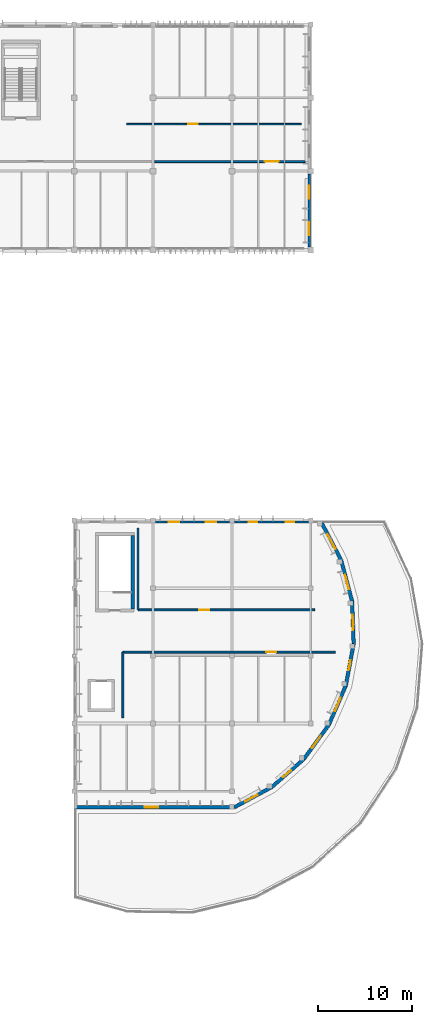
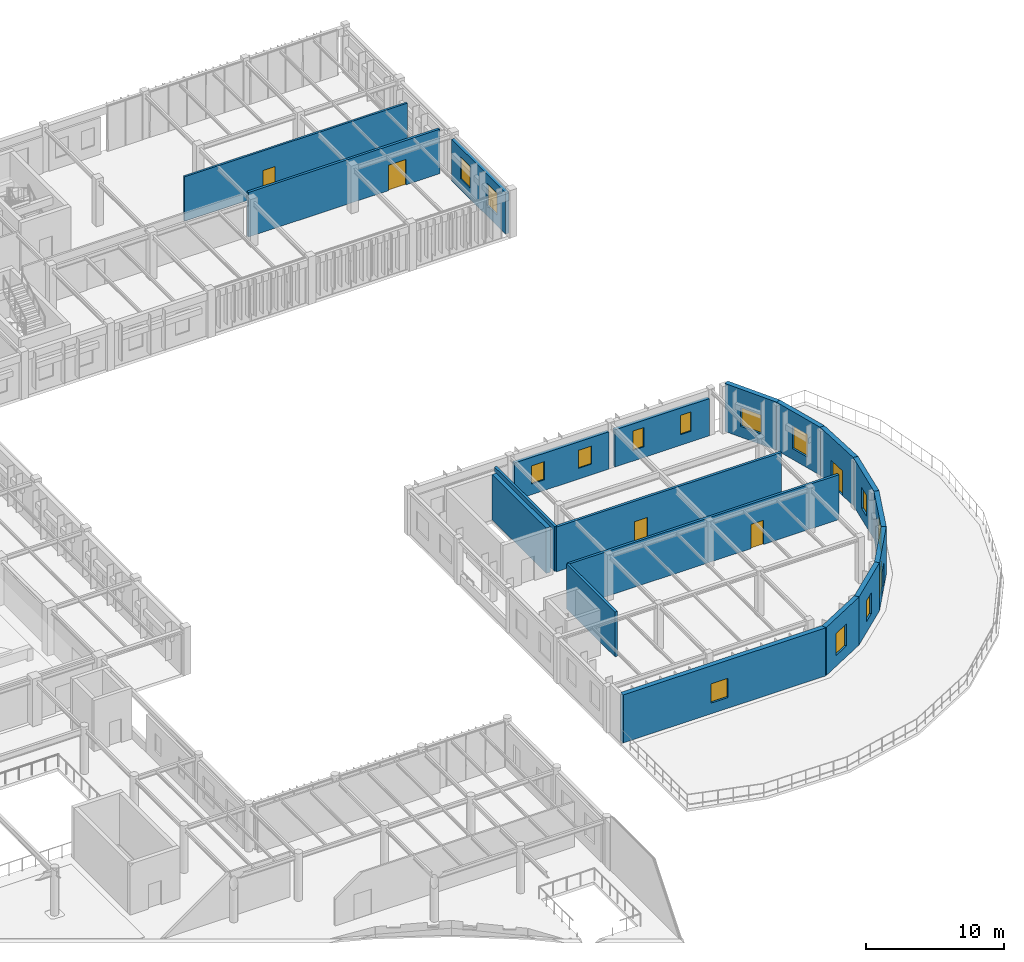
# One storey, part 46 of 104: 19 walls, 13 windows, 6 doors, 19 openings.
"""IFC4 building model written with IfcOpenShell, lengths in metres."""

from ifc_helpers import new_model, si_unit, direction, frame, frame_2d, origin, place, context, subcontext, project, spatial, rectangle, extrude, material, layer, layer_set, type_object, element, fill, save


model = new_model("IFC4")

# Units and contexts
model_context = context("Model", 3, precision=1e-05, world=origin(), true_north=direction((0.0, 1.0)))
body_context = subcontext(model_context, "Body", "Model", "MODEL_VIEW")
ifc_project = project(units=[si_unit("LENGTHUNIT", "METRE"), si_unit("AREAUNIT", "SQUARE_METRE"), si_unit("VOLUMEUNIT", "CUBIC_METRE"), si_unit("PLANEANGLEUNIT", "RADIAN"), si_unit("MASSUNIT", "GRAM", prefix="KILO")], contexts=[model_context])

# Site, building, storey
site_placement = place(None, origin())
site = spatial("IfcSite", under=ifc_project, at=site_placement, CompositionType="ELEMENT")
building_placement = place(site_placement, origin())
building = spatial("IfcBuilding", under=site, at=building_placement, Name="Tazoul Stagehouse", CompositionType="ELEMENT")
storey_placement = place(building_placement, frame((0.0, 0.0, 9.0)))
storey = spatial("IfcBuildingStorey", under=building, at=storey_placement, Name="L02", CompositionType="ELEMENT", Elevation=9.0)

# Wall, opening, window
ifc_material_1 = material(Name="Concrete C40/50", Category="concrete")
ifc_layer_1 = layer(ifc_material_1, 0.3798828125, Name="Concrete C40/50")
ifc_layer_set_1 = layer_set([ifc_layer_1], Name="Concrete C40/50")
wall_type_1 = type_object("IfcWallType", Name="Auditorium Shell Acoustic Perimeter Wall 380", PredefinedType="SOLIDWALL", material=ifc_layer_set_1)
wall_1_placement = place(storey_placement, frame((151.762939453125, 58.729736328125, 0.0), z_axis=(0.0, 0.0, 1.0), x_axis=(0.463702805056, -0.88599080615, 0.0)))
wall_1 = element("IfcWall", 1, at=wall_1_placement, inside=storey, type_object=wall_type_1, Name="L02 Wall EW-380 (WALL-V4-L02-ARC-01-S1)", PredefinedType="SOLIDWALL", context=body_context, shape_type="SweptSolid", body=[
    extrude(rectangle(XDim=4.43896484375, YDim=0.3798828125, at=frame_2d((2.219482421875, 0.0))), origin(), (0.0, 0.0, 1.0), 4.239990234375),
])
opening_1_placement = place(wall_1_placement, frame((1.35693359375, 0.0, 0.949951171875)))
opening_1 = element("IfcOpeningElement", 2, at=opening_1_placement, cuts=wall_1, Name="Opening WN-26", PredefinedType="OPENING", context=body_context, shape_type="SweptSolid", body=[
    extrude(rectangle(XDim=1.75, YDim=1.64990234375, at=frame_2d((0.875, 0.824951171875))), frame((0.0, 0.2099609375, 0.0), z_axis=(0.0, -1.0, 0.0), x_axis=(1.0, 0.0, 0.0)), (0.0, 0.0, 1.0), 0.419921875),
])
ifc_material_2 = material(Name="Double Low-E Acoustic Laminated Glass", Category="glass")
window_type_1 = type_object("IfcWindowType", Name="Rehearsal Daylight Window 1750x1650", PartitioningType="SINGLE_PANEL", PredefinedType="WINDOW", material=ifc_material_2)
window_1_placement = place(opening_1_placement, origin())
window_1 = element("IfcWindow", 3, at=window_1_placement, inside=storey, type_object=window_type_1, Name="L02 Window WN-26 (WALL-V4-L02-ARC-01-S1-B1-W1)", OverallHeight=1.64990234375, OverallWidth=1.75, PartitioningType="SINGLE_PANEL", PredefinedType="WINDOW", context=body_context, shape_type="SweptSolid", body=[
    extrude(rectangle(XDim=1.75, YDim=1.64990234375, at=frame_2d((0.875, 0.824951171875))), frame((0.0, 0.030029296875, 0.0), z_axis=(0.0, -1.0, 0.0), x_axis=(1.0, 0.0, 0.0)), (0.0, 0.0, 1.0), 0.06005859375),
])
fill(opening_1, window_1)

wall_2_placement = place(storey_placement, frame((153.8212890625, 54.796875, 0.0), z_axis=(0.0, 0.0, 1.0), x_axis=(0.256680156135, -0.966496403225, 0.0)))
wall_2 = element("IfcWall", 4, at=wall_2_placement, inside=storey, type_object=wall_type_1, Name="L02 Wall EW-380 (WALL-V4-L02-ARC-02-S1)", PredefinedType="SOLIDWALL", context=body_context, shape_type="SweptSolid", body=[
    extrude(rectangle(XDim=4.5322265625, YDim=0.3798828125, at=frame_2d((2.26611328125, 0.0))), origin(), (0.0, 0.0, 1.0), 4.239990234375),
])
opening_2_placement = place(wall_2_placement, frame((1.637939453125, 0.0, 0.949951171875)))
opening_2 = element("IfcOpeningElement", 5, at=opening_2_placement, cuts=wall_2, Name="Opening WN-80", PredefinedType="OPENING", context=body_context, shape_type="SweptSolid", body=[
    extrude(rectangle(XDim=1.56005859375, YDim=2.0, at=frame_2d((0.780029296875, 1.0))), frame((0.0, 0.2099609375, 0.0), z_axis=(0.0, -1.0, 0.0), x_axis=(1.0, 0.0, 0.0)), (0.0, 0.0, 1.0), 0.419921875),
])
window_type_2 = type_object("IfcWindowType", Name="Architectural Acoustic Facade Window 1560x2000", PartitioningType="SINGLE_PANEL", PredefinedType="WINDOW", material=ifc_material_2)
window_2_placement = place(opening_2_placement, origin())
window_2 = element("IfcWindow", 6, at=window_2_placement, inside=storey, type_object=window_type_2, Name="L02 Window WN-80 (WALL-V4-L02-ARC-02-S1-B1-W1)", OverallHeight=2.0, OverallWidth=1.56005859375, PartitioningType="SINGLE_PANEL", PredefinedType="WINDOW", context=body_context, shape_type="SweptSolid", body=[
    extrude(rectangle(XDim=1.56005859375, YDim=2.0, at=frame_2d((0.780029296875, 1.0))), frame((0.0, 0.030029296875, 0.0), z_axis=(0.0, -1.0, 0.0), x_axis=(1.0, 0.0, 0.0)), (0.0, 0.0, 1.0), 0.06005859375),
])
fill(opening_2, window_2)

# Wall, opening, door
wall_3_placement = place(storey_placement, frame((154.984619140625, 50.41650390625, 0.0), z_axis=(0.0, 0.0, 1.0), x_axis=(0.037063465479, -0.99931291372, 0.0)))
wall_3 = element("IfcWall", 7, at=wall_3_placement, inside=storey, type_object=wall_type_1, Name="L02 Wall EW-380 (WALL-V4-L02-ARC-03-S1)", PredefinedType="SOLIDWALL", context=body_context, shape_type="SweptSolid", body=[
    extrude(rectangle(XDim=4.531982421875, YDim=0.3798828125, at=frame_2d((2.26611328125, 0.0))), origin(), (0.0, 0.0, 1.0), 4.239990234375),
])
opening_3_placement = place(wall_3_placement, frame((1.466064453125, 0.0, 0.0)))
opening_3 = element("IfcOpeningElement", 8, at=opening_3_placement, cuts=wall_3, Name="Opening TD-02", PredefinedType="OPENING", context=body_context, shape_type="SweptSolid", body=[
    extrude(rectangle(XDim=1.60009765625, YDim=2.199951171875, at=frame_2d((0.800048828125, 1.10009765625))), frame((0.0, 0.2099609375, 0.0), z_axis=(0.0, -1.0, 0.0), x_axis=(1.0, 0.0, 0.0)), (0.0, 0.0, 1.0), 0.419921875),
])
door_type_1 = type_object("IfcDoorType", Name="Studio Garden Glazed Door 1600x2200", OperationType="DOUBLE_DOOR_SINGLE_SWING", PredefinedType="DOOR", material=ifc_material_2)
door_1_placement = place(opening_3_placement, origin())
door_1 = element("IfcDoor", 9, at=door_1_placement, inside=storey, type_object=door_type_1, Name="L02 Door TD-02 (DR-V4-GAR-3)", OperationType="SINGLE_SWING_LEFT", OverallHeight=2.199951171875, OverallWidth=1.60009765625, PredefinedType="DOOR", context=body_context, shape_type="SweptSolid", body=[
    extrude(rectangle(XDim=1.60009765625, YDim=2.199951171875, at=frame_2d((0.800048828125, 1.10009765625))), frame((0.0, 0.02490234375, 0.0), z_axis=(0.0, -1.0, 0.0), x_axis=(1.0, 0.0, 0.0)), (0.0, 0.0, 1.0), 0.050048828125),
])
fill(opening_3, door_1)

# Wall, opening, window
wall_4_placement = place(storey_placement, frame((155.152587890625, 45.8876953125, 0.0), z_axis=(0.0, 0.0, 1.0), x_axis=(-0.184334068008, -0.982863648413, 0.0)))
wall_4 = element("IfcWall", 10, at=wall_4_placement, inside=storey, type_object=wall_type_1, Name="L02 Wall EW-380 (WALL-V4-L02-ARC-04-S1)", PredefinedType="SOLIDWALL", context=body_context, shape_type="SweptSolid", body=[
    extrude(rectangle(XDim=4.5322265625, YDim=0.3798828125, at=frame_2d((2.26611328125, 0.0))), origin(), (0.0, 0.0, 1.0), 4.239990234375),
])
opening_4_placement = place(wall_4_placement, frame((1.8056640625, 0.0, 0.949951171875)))
opening_4 = element("IfcOpeningElement", 11, at=opening_4_placement, cuts=wall_4, Name="Opening WN-63", PredefinedType="OPENING", context=body_context, shape_type="SweptSolid", body=[
    extrude(rectangle(XDim=1.050048828125, YDim=1.85009765625, at=frame_2d((0.52490234375, 0.925048828125))), frame((0.0, 0.2099609375, 0.0), z_axis=(0.0, -1.0, 0.0), x_axis=(1.0, 0.0, 0.0)), (0.0, 0.0, 1.0), 0.419921875),
])
window_type_3 = type_object("IfcWindowType", Name="Architectural Acoustic Facade Window 1050x1850", PartitioningType="SINGLE_PANEL", PredefinedType="WINDOW", material=ifc_material_2)
window_3_placement = place(opening_4_placement, origin())
window_3 = element("IfcWindow", 12, at=window_3_placement, inside=storey, type_object=window_type_3, Name="L02 Window WN-63 (WALL-V4-L02-ARC-04-S1-B1-W1)", OverallHeight=1.85009765625, OverallWidth=1.050048828125, PartitioningType="SINGLE_PANEL", PredefinedType="WINDOW", context=body_context, shape_type="SweptSolid", body=[
    extrude(rectangle(XDim=1.050048828125, YDim=1.85009765625, at=frame_2d((0.52490234375, 0.925048828125))), frame((0.0, 0.030029296875, 0.0), z_axis=(0.0, -1.0, 0.0), x_axis=(1.0, 0.0, 0.0)), (0.0, 0.0, 1.0), 0.06005859375),
])
fill(opening_4, window_3)

wall_5_placement = place(storey_placement, frame((154.317138671875, 41.43310546875, 0.0), z_axis=(0.0, 0.0, 1.0), x_axis=(-0.396771328502, -0.917917486967, 0.0)))
wall_5 = element("IfcWall", 13, at=wall_5_placement, inside=storey, type_object=wall_type_1, Name="L02 Wall EW-380 (WALL-V4-L02-ARC-05-S1)", PredefinedType="SOLIDWALL", context=body_context, shape_type="SweptSolid", body=[
    extrude(rectangle(XDim=4.532470703125, YDim=0.3798828125, at=frame_2d((2.26611328125, 0.0))), origin(), (0.0, 0.0, 1.0), 4.239990234375),
])
opening_5_placement = place(wall_5_placement, frame((1.3955078125, 0.0, 0.949951171875)))
opening_5 = element("IfcOpeningElement", 14, at=opening_5_placement, cuts=wall_5, Name="Opening WN-80", PredefinedType="OPENING", context=body_context, shape_type="SweptSolid", body=[
    extrude(rectangle(XDim=1.56005859375, YDim=2.0, at=frame_2d((0.780029296875, 1.0))), frame((0.0, 0.2099609375, 0.0), z_axis=(0.0, -1.0, 0.0), x_axis=(1.0, 0.0, 0.0)), (0.0, 0.0, 1.0), 0.419921875),
])
window_4_placement = place(opening_5_placement, origin())
window_4 = element("IfcWindow", 15, at=window_4_placement, inside=storey, type_object=window_type_2, Name="L02 Window WN-80 (WALL-V4-L02-ARC-05-S1-B1-W1)", OverallHeight=2.0, OverallWidth=1.56005859375, PartitioningType="SINGLE_PANEL", PredefinedType="WINDOW", context=body_context, shape_type="SweptSolid", body=[
    extrude(rectangle(XDim=1.56005859375, YDim=2.0, at=frame_2d((0.780029296875, 1.0))), frame((0.0, 0.030029296875, 0.0), z_axis=(0.0, -1.0, 0.0), x_axis=(1.0, 0.0, 0.0)), (0.0, 0.0, 1.0), 0.06005859375),
])
fill(opening_5, window_4)

# Wall, opening, door
wall_6_placement = place(storey_placement, frame((152.518798828125, 37.272705078125, 0.0), z_axis=(0.0, 0.0, 1.0), x_axis=(-0.589554570805, -0.807728548488, 0.0)))
wall_6 = element("IfcWall", 16, at=wall_6_placement, inside=storey, type_object=wall_type_1, Name="L02 Wall EW-380 (WALL-V4-L02-ARC-06-S1)", PredefinedType="SOLIDWALL", context=body_context, shape_type="SweptSolid", body=[
    extrude(rectangle(XDim=4.531982421875, YDim=0.3798828125, at=frame_2d((2.26611328125, 0.0))), origin(), (0.0, 0.0, 1.0), 4.239990234375),
])
opening_6_placement = place(wall_6_placement, frame((1.466064453125, 0.0, 0.0)))
opening_6 = element("IfcOpeningElement", 17, at=opening_6_placement, cuts=wall_6, Name="Opening TD-02", PredefinedType="OPENING", context=body_context, shape_type="SweptSolid", body=[
    extrude(rectangle(XDim=1.60009765625, YDim=2.199951171875, at=frame_2d((0.800048828125, 1.10009765625))), frame((0.0, 0.2099609375, 0.0), z_axis=(0.0, -1.0, 0.0), x_axis=(1.0, 0.0, 0.0)), (0.0, 0.0, 1.0), 0.419921875),
])
door_2_placement = place(opening_6_placement, origin())
door_2 = element("IfcDoor", 18, at=door_2_placement, inside=storey, type_object=door_type_1, Name="L02 Door TD-02 (DR-V4-GAR-6)", OperationType="SINGLE_SWING_LEFT", OverallHeight=2.199951171875, OverallWidth=1.60009765625, PredefinedType="DOOR", context=body_context, shape_type="SweptSolid", body=[
    extrude(rectangle(XDim=1.60009765625, YDim=2.199951171875, at=frame_2d((0.800048828125, 1.10009765625))), frame((0.0, 0.02490234375, 0.0), z_axis=(0.0, -1.0, 0.0), x_axis=(1.0, 0.0, 0.0)), (0.0, 0.0, 1.0), 0.050048828125),
])
fill(opening_6, door_2)

# Wall, opening, window
wall_7_placement = place(storey_placement, frame((149.846923828125, 33.612060546875, 0.0), z_axis=(0.0, 0.0, 1.0), x_axis=(-0.75327034526, -0.657711020854, 0.0)))
wall_7 = element("IfcWall", 19, at=wall_7_placement, inside=storey, type_object=wall_type_1, Name="L02 Wall EW-380 (WALL-V4-L02-ARC-07-S1)", PredefinedType="SOLIDWALL", context=body_context, shape_type="SweptSolid", body=[
    extrude(rectangle(XDim=4.5322265625, YDim=0.3798828125, at=frame_2d((2.26611328125, 0.0))), origin(), (0.0, 0.0, 1.0), 4.239990234375),
])
opening_7_placement = place(wall_7_placement, frame((1.810302734375, 0.0, 0.949951171875)))
opening_7 = element("IfcOpeningElement", 20, at=opening_7_placement, cuts=wall_7, Name="Opening WN-65", PredefinedType="OPENING", context=body_context, shape_type="SweptSolid", body=[
    extrude(rectangle(XDim=1.110107421875, YDim=1.85009765625, at=frame_2d((0.55517578125, 0.925048828125))), frame((0.0, 0.2099609375, 0.0), z_axis=(0.0, -1.0, 0.0), x_axis=(1.0, 0.0, 0.0)), (0.0, 0.0, 1.0), 0.419921875),
])
window_type_4 = type_object("IfcWindowType", Name="Architectural Acoustic Facade Window 1110x1850", PartitioningType="SINGLE_PANEL", PredefinedType="WINDOW", material=ifc_material_2)
window_5_placement = place(opening_7_placement, origin())
window_5 = element("IfcWindow", 21, at=window_5_placement, inside=storey, type_object=window_type_4, Name="L02 Window WN-65 (WALL-V4-L02-ARC-07-S1-B1-W1)", OverallHeight=1.85009765625, OverallWidth=1.110107421875, PartitioningType="SINGLE_PANEL", PredefinedType="WINDOW", context=body_context, shape_type="SweptSolid", body=[
    extrude(rectangle(XDim=1.110107421875, YDim=1.85009765625, at=frame_2d((0.55517578125, 0.925048828125))), frame((0.0, 0.030029296875, 0.0), z_axis=(0.0, -1.0, 0.0), x_axis=(1.0, 0.0, 0.0)), (0.0, 0.0, 1.0), 0.06005859375),
])
fill(opening_7, window_5)

wall_8_placement = place(storey_placement, frame((146.432861328125, 30.631103515625, 0.0), z_axis=(0.0, 0.0, 1.0), x_axis=(-0.8798473903, -0.475256320087, 0.0)))
wall_8 = element("IfcWall", 22, at=wall_8_placement, inside=storey, type_object=wall_type_1, Name="L02 Wall EW-380 (WALL-V4-L02-ARC-08-S1)", PredefinedType="SOLIDWALL", context=body_context, shape_type="SweptSolid", body=[
    extrude(rectangle(XDim=4.505126953125, YDim=0.3798828125, at=frame_2d((2.25244140625, 0.0))), origin(), (0.0, 0.0, 1.0), 4.239990234375),
])
opening_8_placement = place(wall_8_placement, frame((1.72021484375, 0.0, 0.949951171875)))
opening_8 = element("IfcOpeningElement", 23, at=opening_8_placement, cuts=wall_8, Name="Opening WN-77", PredefinedType="OPENING", context=body_context, shape_type="SweptSolid", body=[
    extrude(rectangle(XDim=1.469970703125, YDim=1.949951171875, at=frame_2d((0.73486328125, 0.97509765625))), frame((0.0, 0.2099609375, 0.0), z_axis=(0.0, -1.0, 0.0), x_axis=(1.0, 0.0, 0.0)), (0.0, 0.0, 1.0), 0.419921875),
])
window_type_5 = type_object("IfcWindowType", Name="Architectural Acoustic Facade Window 1470x1950", PartitioningType="SINGLE_PANEL", PredefinedType="WINDOW", material=ifc_material_2)
window_6_placement = place(opening_8_placement, origin())
window_6 = element("IfcWindow", 24, at=window_6_placement, inside=storey, type_object=window_type_5, Name="L02 Window WN-77 (WALL-V4-L02-ARC-08-S1-B1-W1)", OverallHeight=1.949951171875, OverallWidth=1.469970703125, PartitioningType="SINGLE_PANEL", PredefinedType="WINDOW", context=body_context, shape_type="SweptSolid", body=[
    extrude(rectangle(XDim=1.469970703125, YDim=1.949951171875, at=frame_2d((0.73486328125, 0.97509765625))), frame((0.0, 0.030029296875, 0.0), z_axis=(0.0, -1.0, 0.0), x_axis=(1.0, 0.0, 0.0)), (0.0, 0.0, 1.0), 0.06005859375),
])
fill(opening_8, window_6)

wall_9_placement = place(storey_placement, frame((142.468994140625, 28.489990234375, 0.0), z_axis=(0.0, 0.0, 1.0), x_axis=(-1.0, 0.0, 0.0)))
wall_9 = element("IfcWall", 25, at=wall_9_placement, inside=storey, type_object=wall_type_1, Name="L02 Wall EW-380 (WALL-V4-L02-ARC-09-S1)", PredefinedType="SOLIDWALL", context=body_context, shape_type="SweptSolid", body=[
    extrude(rectangle(XDim=16.87890625, YDim=0.3798828125, at=frame_2d((8.439453125, 0.0))), origin(), (0.0, 0.0, 1.0), 4.239990234375),
])
opening_9_placement = place(wall_9_placement, frame((8.13037109375, 0.0, 0.949951171875)))
opening_9 = element("IfcOpeningElement", 26, at=opening_9_placement, cuts=wall_9, Name="Opening WN-50", PredefinedType="OPENING", context=body_context, shape_type="SweptSolid", body=[
    extrude(rectangle(XDim=1.409912109375, YDim=1.699951171875, at=frame_2d((0.705078125, 0.85009765625))), frame((0.0, 0.2099609375, 0.0), z_axis=(0.0, -1.0, 0.0), x_axis=(1.0, 0.0, 0.0)), (0.0, 0.0, 1.0), 0.419921875),
])
window_type_6 = type_object("IfcWindowType", Name="Architectural Acoustic Facade Window 1410x1700", PartitioningType="SINGLE_PANEL", PredefinedType="WINDOW", material=ifc_material_2)
window_7_placement = place(opening_9_placement, origin())
window_7 = element("IfcWindow", 27, at=window_7_placement, inside=storey, type_object=window_type_6, Name="L02 Window WN-50 (WALL-V4-L02-ARC-09-S1-B1-W1)", OverallHeight=1.699951171875, OverallWidth=1.409912109375, PartitioningType="SINGLE_PANEL", PredefinedType="WINDOW", context=body_context, shape_type="SweptSolid", body=[
    extrude(rectangle(XDim=1.409912109375, YDim=1.699951171875, at=frame_2d((0.705078125, 0.85009765625))), frame((0.0, 0.030029296875, 0.0), z_axis=(0.0, -1.0, 0.0), x_axis=(1.0, 0.0, 0.0)), (0.0, 0.0, 1.0), 0.06005859375),
])
fill(opening_9, window_7)

# Wall
ifc_layer_2 = layer(ifc_material_1, 0.35009765625, Name="Concrete C40/50")
ifc_layer_set_2 = layer_set([ifc_layer_2], Name="Concrete C40/50")
wall_type_2 = type_object("IfcWallType", Name="Core Shear Wall 350", PredefinedType="SOLIDWALL", material=ifc_layer_set_2)
wall_10_placement = place(storey_placement, frame((131.625, 57.39990234375, 0.0), z_axis=(0.0, 0.0, 1.0), x_axis=(0.0, -1.0, 0.0)))
element("IfcWall", 28, at=wall_10_placement, inside=storey, type_object=wall_type_2, Name="L02 Core Wall CW-350 (SHF-ST-07-east)", PredefinedType="SOLIDWALL", context=body_context, shape_type="SweptSolid", body=[
    extrude(rectangle(XDim=7.7998046875, YDim=0.35009765625, at=frame_2d((3.89990234375, 0.0))), origin(), (0.0, 0.0, 1.0), 4.0),
])

# Wall, opening, door
ifc_material_3 = material(Name="Gypsum Acoustic Partition", Category="gypsum")
ifc_layer_3 = layer(ifc_material_3, 0.169921875, Name="Gypsum Acoustic Partition")
ifc_layer_set_3 = layer_set([ifc_layer_3], Name="Gypsum Acoustic Partition")
wall_type_3 = type_object("IfcWallType", Name="Corridor Fire-Rated Partition 170", PredefinedType="PARTITIONING", material=ifc_layer_set_3)
wall_11_placement = place(storey_placement, frame((149.60009765625, 101.199951171875, 0.0), z_axis=(0.0, 0.0, 1.0), x_axis=(-1.0, 0.0, 0.0)))
wall_11 = element("IfcWall", 29, at=wall_11_placement, inside=storey, type_object=wall_type_3, Name="L02 Partition PW-170 (PW-RM-L02-064-S)", PredefinedType="PARTITIONING", context=body_context, shape_type="SweptSolid", body=[
    extrude(rectangle(XDim=18.60009765625, YDim=0.169921875, at=frame_2d((9.300048828125, 0.0))), origin(), (0.0, 0.0, 1.0), 3.929931640625),
])
opening_10_placement = place(wall_11_placement, frame((11.036865234375, 0.0, 0.0)))
opening_10 = element("IfcOpeningElement", 30, at=opening_10_placement, cuts=wall_11, Name="Opening ID-06", PredefinedType="OPENING", context=body_context, shape_type="SweptSolid", body=[
    extrude(rectangle(XDim=1.0, YDim=2.199951171875, at=frame_2d((0.5, 1.10009765625))), frame((0.0, 0.10498046875, 0.0), z_axis=(0.0, -1.0, 0.0), x_axis=(1.0, 0.0, 0.0)), (0.0, 0.0, 1.0), 0.2099609375),
])
ifc_material_4 = material(Name="Acoustic Cedar Timber", Category="wood")
door_type_2 = type_object("IfcDoorType", Name="Archive Rated Door 1000x2200", OperationType="NOTDEFINED", PredefinedType="DOOR", material=ifc_material_4)
door_3_placement = place(opening_10_placement, origin())
door_3 = element("IfcDoor", 31, at=door_3_placement, inside=storey, type_object=door_type_2, Name="L02 Principal Costume Archive Store Door", OperationType="SINGLE_SWING_RIGHT", OverallHeight=2.199951171875, OverallWidth=1.0, PredefinedType="DOOR", context=body_context, shape_type="SweptSolid", body=[
    extrude(rectangle(XDim=1.0, YDim=2.199951171875, at=frame_2d((0.5, 1.10009765625))), frame((0.0, 0.02490234375, 0.0), z_axis=(0.0, -1.0, 0.0), x_axis=(1.0, 0.0, 0.0)), (0.0, 0.0, 1.0), 0.050048828125),
])
fill(opening_10, door_3)

# Wall, openings, windows
ifc_material_5 = material(Name="Precast concrete C40/50", Category="concrete")
ifc_layer_4 = layer(ifc_material_5, 0.260009765625, Name="Precast concrete C40/50")
ifc_layer_set_4 = layer_set([ifc_layer_4], Name="Precast concrete C40/50")
wall_type_4 = type_object("IfcWallType", Name="Curved Studio Drum Terracotta-Concrete Wall 260", PredefinedType="SOLIDWALL", material=ifc_layer_set_4)
wall_12_placement = place(storey_placement, frame((134.054931640625, 58.85009765625, 0.0), z_axis=(0.0, 0.0, 1.0), x_axis=(1.0, 0.0, 0.0)))
wall_12 = element("IfcWall", 32, at=wall_12_placement, inside=storey, type_object=wall_type_4, Name="L02 Wall EW-260 (WALL-V4-N-L02-S2)", PredefinedType="SOLIDWALL", context=body_context, shape_type="SweptSolid", body=[
    extrude(rectangle(XDim=7.89013671875, YDim=0.260009765625, at=frame_2d((3.945068359375, 0.0))), origin(), (0.0, 0.0, 1.0), 3.29296875),
])
opening_11_placement = place(wall_12_placement, frame((1.4326171875, 0.0, 0.949951171875)))
opening_11 = element("IfcOpeningElement", 33, at=opening_11_placement, cuts=wall_12, Name="Opening WN-39", PredefinedType="OPENING", context=body_context, shape_type="SweptSolid", body=[
    extrude(rectangle(XDim=1.080078125, YDim=1.60009765625, at=frame_2d((0.5400390625, 0.800048828125))), frame((0.0, 0.14990234375, 0.0), z_axis=(0.0, -1.0, 0.0), x_axis=(1.0, 0.0, 0.0)), (0.0, 0.0, 1.0), 0.300048828125),
])
opening_12_placement = place(wall_12_placement, frame((5.37744140625, 0.0, 0.949951171875)))
opening_12 = element("IfcOpeningElement", 34, at=opening_12_placement, cuts=wall_12, Name="Opening WN-39", PredefinedType="OPENING", context=body_context, shape_type="SweptSolid", body=[
    extrude(rectangle(XDim=1.080078125, YDim=1.60009765625, at=frame_2d((0.5400390625, 0.800048828125))), frame((0.0, 0.14990234375, 0.0), z_axis=(0.0, -1.0, 0.0), x_axis=(1.0, 0.0, 0.0)), (0.0, 0.0, 1.0), 0.300048828125),
])
window_type_7 = type_object("IfcWindowType", Name="Architectural Acoustic Facade Window 1080x1600", PartitioningType="SINGLE_PANEL", PredefinedType="WINDOW", material=ifc_material_2)
window_8_placement = place(opening_11_placement, origin())
window_8 = element("IfcWindow", 35, at=window_8_placement, inside=storey, type_object=window_type_7, Name="L02 Window WN-39 (WALL-V4-N-L02-S2-W1)", OverallHeight=1.60009765625, OverallWidth=1.080078125, PartitioningType="SINGLE_PANEL", PredefinedType="WINDOW", context=body_context, shape_type="SweptSolid", body=[
    extrude(rectangle(XDim=1.080078125, YDim=1.60009765625, at=frame_2d((0.5400390625, 0.800048828125))), frame((0.0, 0.030029296875, 0.0), z_axis=(0.0, -1.0, 0.0), x_axis=(1.0, 0.0, 0.0)), (0.0, 0.0, 1.0), 0.06005859375),
])
fill(opening_11, window_8)
window_9_placement = place(opening_12_placement, origin())
window_9 = element("IfcWindow", 36, at=window_9_placement, inside=storey, type_object=window_type_7, Name="L02 Window WN-39 (WALL-V4-N-L02-S2-W2)", OverallHeight=1.60009765625, OverallWidth=1.080078125, PartitioningType="SINGLE_PANEL", PredefinedType="WINDOW", context=body_context, shape_type="SweptSolid", body=[
    extrude(rectangle(XDim=1.080078125, YDim=1.60009765625, at=frame_2d((0.5400390625, 0.800048828125))), frame((0.0, 0.030029296875, 0.0), z_axis=(0.0, -1.0, 0.0), x_axis=(1.0, 0.0, 0.0)), (0.0, 0.0, 1.0), 0.06005859375),
])
fill(opening_12, window_9)

wall_13_placement = place(storey_placement, frame((142.455078125, 58.85009765625, 0.0), z_axis=(0.0, 0.0, 1.0), x_axis=(1.0, 0.0, 0.0)))
wall_13 = element("IfcWall", 37, at=wall_13_placement, inside=storey, type_object=wall_type_4, Name="L02 Wall EW-260 (WALL-V4-N-L02-S3)", PredefinedType="SOLIDWALL", context=body_context, shape_type="SweptSolid", body=[
    extrude(rectangle(XDim=7.889892578125, YDim=0.260009765625, at=frame_2d((3.94482421875, 0.0))), origin(), (0.0, 0.0, 1.0), 3.29296875),
])
opening_13_placement = place(wall_13_placement, frame((1.5224609375, 0.0, 0.949951171875)))
opening_13 = element("IfcOpeningElement", 38, at=opening_13_placement, cuts=wall_13, Name="Opening WN-32", PredefinedType="OPENING", context=body_context, shape_type="SweptSolid", body=[
    extrude(rectangle(XDim=0.89990234375, YDim=1.699951171875, at=frame_2d((0.449951171875, 0.85009765625))), frame((0.0, 0.14990234375, 0.0), z_axis=(0.0, -1.0, 0.0), x_axis=(1.0, 0.0, 0.0)), (0.0, 0.0, 1.0), 0.300048828125),
])
opening_14_placement = place(wall_13_placement, frame((5.467529296875, 0.0, 0.949951171875)))
opening_14 = element("IfcOpeningElement", 39, at=opening_14_placement, cuts=wall_13, Name="Opening WN-32", PredefinedType="OPENING", context=body_context, shape_type="SweptSolid", body=[
    extrude(rectangle(XDim=0.89990234375, YDim=1.699951171875, at=frame_2d((0.449951171875, 0.85009765625))), frame((0.0, 0.14990234375, 0.0), z_axis=(0.0, -1.0, 0.0), x_axis=(1.0, 0.0, 0.0)), (0.0, 0.0, 1.0), 0.300048828125),
])
window_type_8 = type_object("IfcWindowType", Name="Auditorium Tympanum Slot Light 900x1700", PartitioningType="SINGLE_PANEL", PredefinedType="WINDOW", material=ifc_material_2)
window_10_placement = place(opening_13_placement, origin())
window_10 = element("IfcWindow", 40, at=window_10_placement, inside=storey, type_object=window_type_8, Name="L02 Window WN-32 (WALL-V4-N-L02-S3-W1)", OverallHeight=1.699951171875, OverallWidth=0.89990234375, PartitioningType="SINGLE_PANEL", PredefinedType="WINDOW", context=body_context, shape_type="SweptSolid", body=[
    extrude(rectangle(XDim=0.89990234375, YDim=1.699951171875, at=frame_2d((0.449951171875, 0.85009765625))), frame((0.0, 0.030029296875, 0.0), z_axis=(0.0, -1.0, 0.0), x_axis=(1.0, 0.0, 0.0)), (0.0, 0.0, 1.0), 0.06005859375),
])
fill(opening_13, window_10)
window_11_placement = place(opening_14_placement, origin())
window_11 = element("IfcWindow", 41, at=window_11_placement, inside=storey, type_object=window_type_8, Name="L02 Window WN-32 (WALL-V4-N-L02-S3-W2)", OverallHeight=1.699951171875, OverallWidth=0.89990234375, PartitioningType="SINGLE_PANEL", PredefinedType="WINDOW", context=body_context, shape_type="SweptSolid", body=[
    extrude(rectangle(XDim=0.89990234375, YDim=1.699951171875, at=frame_2d((0.449951171875, 0.85009765625))), frame((0.0, 0.030029296875, 0.0), z_axis=(0.0, -1.0, 0.0), x_axis=(1.0, 0.0, 0.0)), (0.0, 0.0, 1.0), 0.06005859375),
])
fill(opening_14, window_11)

ifc_layer_5 = layer(ifc_material_5, 0.280029296875, Name="Precast concrete C40/50")
ifc_layer_set_5 = layer_set([ifc_layer_5], Name="Precast concrete C40/50")
wall_type_5 = type_object("IfcWallType", Name="Insulated Precast Acoustic Cladding Wall 280", PredefinedType="SOLIDWALL", material=ifc_layer_set_5)
wall_14_placement = place(storey_placement, frame((150.419921875, 88.10498046875, 0.0), z_axis=(0.0, 0.0, 1.0), x_axis=(0.0, 1.0, 0.0)))
wall_14 = element("IfcWall", 42, at=wall_14_placement, inside=storey, type_object=wall_type_5, Name="L02 Wall EW-280 (WALL-V3-E-L02-S1)", PredefinedType="SOLIDWALL", context=body_context, shape_type="SweptSolid", body=[
    extrude(rectangle(XDim=7.7900390625, YDim=0.280029296875, at=frame_2d((3.89501953125, 0.0))), origin(), (0.0, 0.0, 1.0), 3.673095703125),
])
opening_15_placement = place(wall_14_placement, frame((1.257568359375, 0.0, 0.949951171875)))
opening_15 = element("IfcOpeningElement", 43, at=opening_15_placement, cuts=wall_14, Name="Opening WN-74", PredefinedType="OPENING", context=body_context, shape_type="SweptSolid", body=[
    extrude(rectangle(XDim=1.3798828125, YDim=1.949951171875, at=frame_2d((0.68994140625, 0.97509765625))), frame((0.0, 0.159912109375, 0.0), z_axis=(0.0, -1.0, 0.0), x_axis=(1.0, 0.0, 0.0)), (0.0, 0.0, 1.0), 0.320068359375),
])
opening_16_placement = place(wall_14_placement, frame((5.152587890625, 0.0, 0.949951171875)))
opening_16 = element("IfcOpeningElement", 44, at=opening_16_placement, cuts=wall_14, Name="Opening WN-74", PredefinedType="OPENING", context=body_context, shape_type="SweptSolid", body=[
    extrude(rectangle(XDim=1.3798828125, YDim=1.949951171875, at=frame_2d((0.68994140625, 0.97509765625))), frame((0.0, 0.159912109375, 0.0), z_axis=(0.0, -1.0, 0.0), x_axis=(1.0, 0.0, 0.0)), (0.0, 0.0, 1.0), 0.320068359375),
])
window_type_9 = type_object("IfcWindowType", Name="Architectural Acoustic Facade Window 1380x1950", PartitioningType="SINGLE_PANEL", PredefinedType="WINDOW", material=ifc_material_2)
window_12_placement = place(opening_15_placement, origin())
window_12 = element("IfcWindow", 45, at=window_12_placement, inside=storey, type_object=window_type_9, Name="L02 Window WN-74 (WALL-V3-E-L02-S1-W1)", OverallHeight=1.949951171875, OverallWidth=1.3798828125, PartitioningType="SINGLE_PANEL", PredefinedType="WINDOW", context=body_context, shape_type="SweptSolid", body=[
    extrude(rectangle(XDim=1.3798828125, YDim=1.949951171875, at=frame_2d((0.68994140625, 0.97509765625))), frame((0.0, 0.030029296875, 0.0), z_axis=(0.0, -1.0, 0.0), x_axis=(1.0, 0.0, 0.0)), (0.0, 0.0, 1.0), 0.06005859375),
])
fill(opening_15, window_12)
window_13_placement = place(opening_16_placement, origin())
window_13 = element("IfcWindow", 46, at=window_13_placement, inside=storey, type_object=window_type_9, Name="L02 Window WN-74 (WALL-V3-E-L02-S1-W2)", OverallHeight=1.949951171875, OverallWidth=1.3798828125, PartitioningType="SINGLE_PANEL", PredefinedType="WINDOW", context=body_context, shape_type="SweptSolid", body=[
    extrude(rectangle(XDim=1.3798828125, YDim=1.949951171875, at=frame_2d((0.68994140625, 0.97509765625))), frame((0.0, 0.030029296875, 0.0), z_axis=(0.0, -1.0, 0.0), x_axis=(1.0, 0.0, 0.0)), (0.0, 0.0, 1.0), 0.06005859375),
])
fill(opening_16, window_13)

# Wall, opening, door
ifc_layer_6 = layer(ifc_material_3, 0.2099609375, Name="Gypsum Acoustic Partition")
ifc_layer_set_6 = layer_set([ifc_layer_6], Name="Gypsum Acoustic Partition")
wall_type_6 = type_object("IfcWallType", Name="Rehearsal Room Acoustic Partition 210", PredefinedType="PARTITIONING", material=ifc_layer_set_6)
wall_15_placement = place(storey_placement, frame((130.60009765625, 45.0, 0.0), z_axis=(0.0, 0.0, 1.0), x_axis=(1.0, 0.0, 0.0)))
wall_15 = element("IfcWall", 47, at=wall_15_placement, inside=storey, type_object=wall_type_6, Name="L02 Partition PW-210 (PW-RM-L02-065-N)", PredefinedType="PARTITIONING", context=body_context, shape_type="SweptSolid", body=[
    extrude(rectangle(XDim=22.599853515625, YDim=0.2099609375, at=frame_2d((11.2998046875, 0.0))), origin(), (0.0, 0.0, 1.0), 3.9599609375),
])
opening_17_placement = place(wall_15_placement, frame((15.242919921875, 0.0, 0.0)))
opening_17 = element("IfcOpeningElement", 48, at=opening_17_placement, cuts=wall_15, Name="Opening ID-07", PredefinedType="OPENING", context=body_context, shape_type="SweptSolid", body=[
    extrude(rectangle(XDim=1.050048828125, YDim=2.14990234375, at=frame_2d((0.52490234375, 1.074951171875))), frame((0.0, 0.125, 0.0), z_axis=(0.0, -1.0, 0.0), x_axis=(1.0, 0.0, 0.0)), (0.0, 0.0, 1.0), 0.25),
])
door_type_3 = type_object("IfcDoorType", Name="Control Room Sound-Lock Door 1050x2150", OperationType="NOTDEFINED", PredefinedType="DOOR", material=ifc_material_4)
door_4_placement = place(opening_17_placement, origin())
door_4 = element("IfcDoor", 49, at=door_4_placement, inside=storey, type_object=door_type_3, Name="L02 Studio Technical Control and Garden Lounge Door", OperationType="SINGLE_SWING_LEFT", OverallHeight=2.14990234375, OverallWidth=1.050048828125, PredefinedType="DOOR", context=body_context, shape_type="SweptSolid", body=[
    extrude(rectangle(XDim=1.050048828125, YDim=2.14990234375, at=frame_2d((0.52490234375, 1.074951171875))), frame((0.0, 0.02490234375, 0.0), z_axis=(0.0, -1.0, 0.0), x_axis=(1.0, 0.0, 0.0)), (0.0, 0.0, 1.0), 0.050048828125),
])
fill(opening_17, door_4)

# Wall
wall_16_placement = place(storey_placement, frame((130.60009765625, 38.0, 0.0), z_axis=(0.0, 0.0, 1.0), x_axis=(0.0, 1.0, 0.0)))
element("IfcWall", 50, at=wall_16_placement, inside=storey, type_object=wall_type_6, Name="L02 Partition PW-210 (PW-RM-L02-065-W)", PredefinedType="PARTITIONING", context=body_context, shape_type="SweptSolid", body=[
    extrude(rectangle(XDim=7.0, YDim=0.2099609375, at=frame_2d((3.5, 0.0))), origin(), (0.0, 0.0, 1.0), 3.9599609375),
])

# Wall, opening, door
wall_17_placement = place(storey_placement, frame((134.0, 97.199951171875, 0.0), z_axis=(0.0, 0.0, 1.0), x_axis=(1.0, 0.0, 0.0)))
wall_17 = element("IfcWall", 51, at=wall_17_placement, inside=storey, type_object=wall_type_6, Name="L02 Partition PW-210 (PW-RM-L02-128-N)", PredefinedType="PARTITIONING", context=body_context, shape_type="SweptSolid", body=[
    extrude(rectangle(XDim=16.0, YDim=0.2099609375, at=frame_2d((8.0, 0.0))), origin(), (0.0, 0.0, 1.0), 3.929931640625),
])
opening_18_placement = place(wall_17_placement, frame((11.685791015625, 0.0, 0.0)))
opening_18 = element("IfcOpeningElement", 52, at=opening_18_placement, cuts=wall_17, Name="Opening ID-20", PredefinedType="OPENING", context=body_context, shape_type="SweptSolid", body=[
    extrude(rectangle(XDim=1.5, YDim=2.25, at=frame_2d((0.75, 1.125))), frame((0.0, 0.125, 0.0), z_axis=(0.0, -1.0, 0.0), x_axis=(1.0, 0.0, 0.0)), (0.0, 0.0, 1.0), 0.25),
])
door_type_4 = type_object("IfcDoorType", Name="Wardrobe Workshop Double Door 1500x2250", OperationType="DOUBLE_DOOR_SINGLE_SWING", PredefinedType="DOOR", material=ifc_material_4)
door_5_placement = place(opening_18_placement, origin())
door_5 = element("IfcDoor", 53, at=door_5_placement, inside=storey, type_object=door_type_4, Name="L02 Costume Pattern and Textile Studio Door", OperationType="DOUBLE_DOOR_SINGLE_SWING", OverallHeight=2.25, OverallWidth=1.5, PredefinedType="DOOR", context=body_context, shape_type="SweptSolid", body=[
    extrude(rectangle(XDim=1.5, YDim=2.25, at=frame_2d((0.75, 1.125))), frame((0.0, 0.02490234375, 0.0), z_axis=(0.0, -1.0, 0.0), x_axis=(1.0, 0.0, 0.0)), (0.0, 0.0, 1.0), 0.050048828125),
])
fill(opening_18, door_5)

wall_18_placement = place(storey_placement, frame((151.0, 49.5, 0.0), z_axis=(0.0, 0.0, 1.0), x_axis=(-1.0, 0.0, 0.0)))
wall_18 = element("IfcWall", 54, at=wall_18_placement, inside=storey, type_object=wall_type_6, Name="L02 Partition PW-210 (PW-RM-L02-129-S)", PredefinedType="PARTITIONING", context=body_context, shape_type="SweptSolid", body=[
    extrude(rectangle(XDim=18.800048828125, YDim=0.2099609375, at=frame_2d((9.39990234375, 0.0))), origin(), (0.0, 0.0, 1.0), 3.9599609375),
])
opening_19_placement = place(wall_18_placement, frame((11.222412109375, 0.0, 0.0)))
opening_19 = element("IfcOpeningElement", 55, at=opening_19_placement, cuts=wall_18, Name="Opening ID-07", PredefinedType="OPENING", context=body_context, shape_type="SweptSolid", body=[
    extrude(rectangle(XDim=1.050048828125, YDim=2.14990234375, at=frame_2d((0.52490234375, 1.074951171875))), frame((0.0, 0.125, 0.0), z_axis=(0.0, -1.0, 0.0), x_axis=(1.0, 0.0, 0.0)), (0.0, 0.0, 1.0), 0.25),
])
door_6_placement = place(opening_19_placement, origin())
door_6 = element("IfcDoor", 56, at=door_6_placement, inside=storey, type_object=door_type_3, Name="L02 Studio Lighting and Sound Editing Suite Door", OperationType="SINGLE_SWING_RIGHT", OverallHeight=2.14990234375, OverallWidth=1.050048828125, PredefinedType="DOOR", context=body_context, shape_type="SweptSolid", body=[
    extrude(rectangle(XDim=1.050048828125, YDim=2.14990234375, at=frame_2d((0.52490234375, 1.074951171875))), frame((0.0, 0.02490234375, 0.0), z_axis=(0.0, -1.0, 0.0), x_axis=(1.0, 0.0, 0.0)), (0.0, 0.0, 1.0), 0.050048828125),
])
fill(opening_19, door_6)

# Wall
wall_19_placement = place(storey_placement, frame((132.199951171875, 49.5, 0.0), z_axis=(0.0, 0.0, 1.0), x_axis=(0.0, 1.0, 0.0)))
element("IfcWall", 57, at=wall_19_placement, inside=storey, type_object=wall_type_6, Name="L02 Partition PW-210 (PW-RM-L02-129-W)", PredefinedType="PARTITIONING", context=body_context, shape_type="SweptSolid", body=[
    extrude(rectangle(XDim=8.699951171875, YDim=0.2099609375, at=frame_2d((4.35009765625, 0.0))), origin(), (0.0, 0.0, 1.0), 3.9599609375),
])

save(model, "model.ifc")
